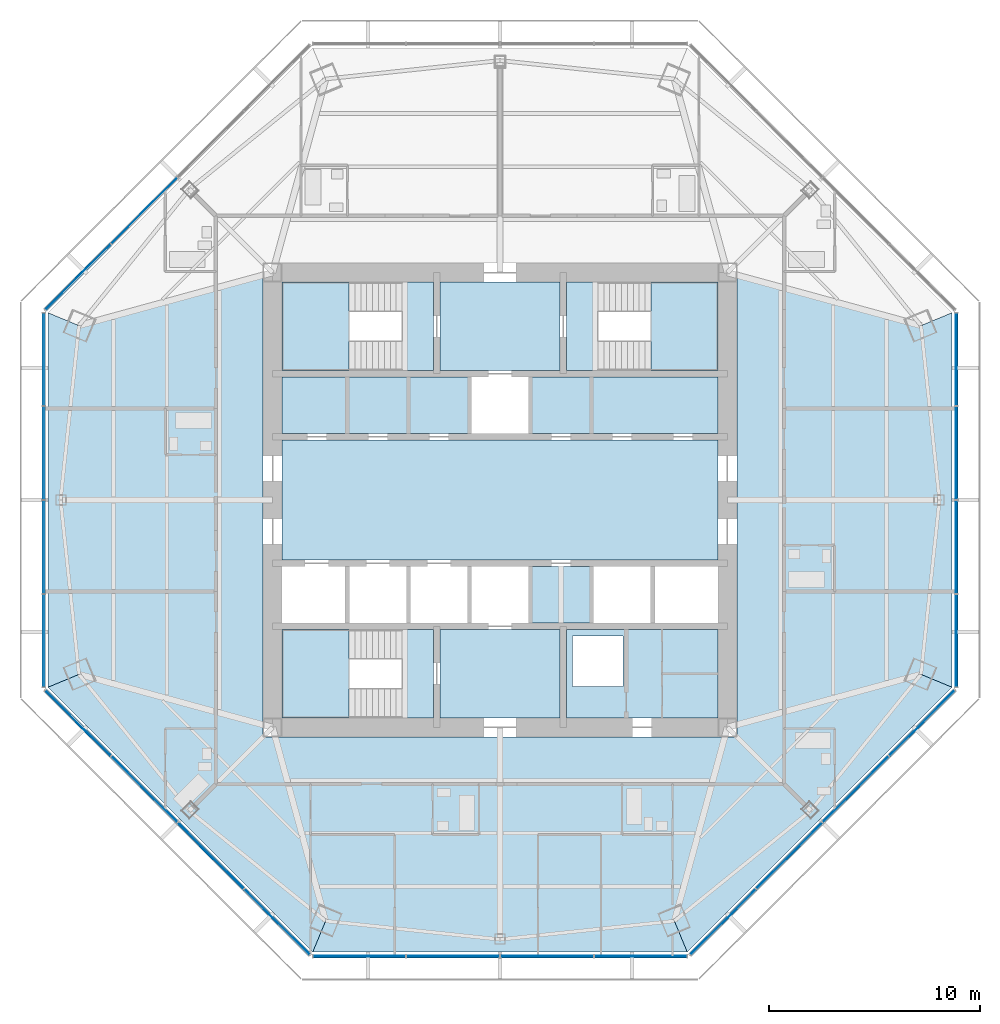
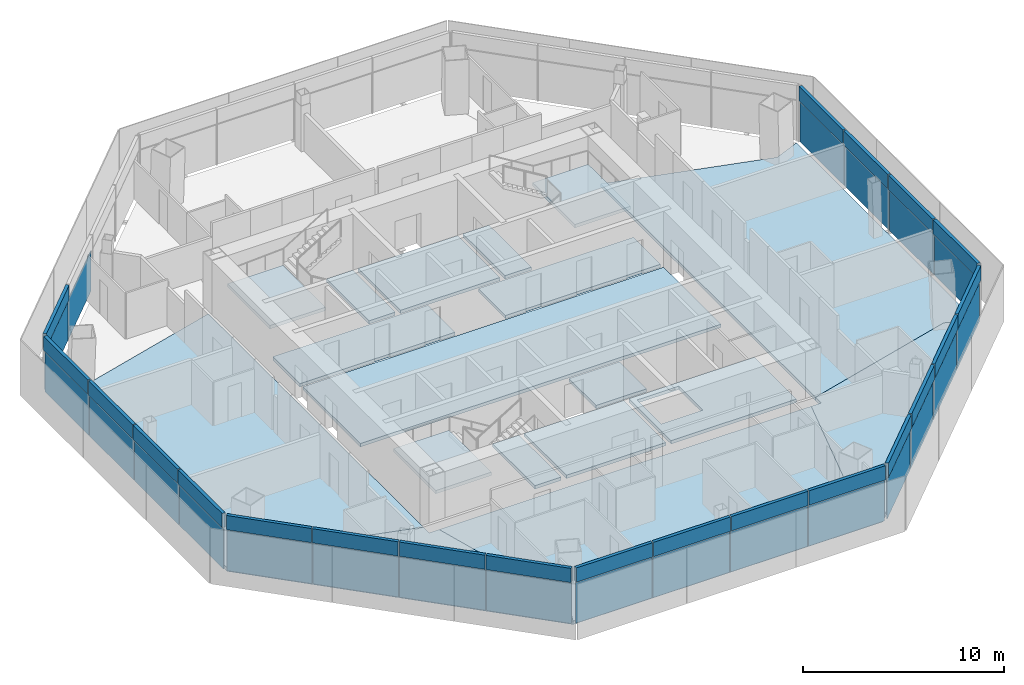
# One storey, part 7 of 15: 43 plates, 18 slabs, 9 elements without a shape of their own.
"""IFC4 building model written with IfcOpenShell, lengths in metres."""

import ifcopenshell
import ifcopenshell.guid

model = None  # the IFC model being written
_history = None  # IfcOwnerHistory: only IFC2X3 demands one
_inside = {}  # id of a spatial element -> (the spatial element, [elements in it])
_under = {}  # id of a project, library or spatial element -> (it, [spatial elements below it])
_declared = {}  # id of a project -> (the project, [libraries it declares])
_typed = {}  # id of a type object -> (the type object, [elements of that type])
_made_of = {}  # id of a material, layer set ... -> (it, [elements and type objects made of it])


def new_model(schema):
    """Start an empty IFC model of exactly this schema.

    Asked for "IFC4X3", IfcOpenShell would pick the latest addendum, in which some entities
    have other attributes; the version numbers below select the first issue.
    IFC2X3 requires an IfcOwnerHistory on every rooted entity: one is made here for all.
    """
    global model, _history
    if schema == "IFC4X3":
        model = ifcopenshell.file(schema_version=(4, 3, 0, 0))
    else:
        model = ifcopenshell.file(schema=schema)
    _inside.clear()
    _under.clear()
    _declared.clear()
    _typed.clear()
    _made_of.clear()
    _history = None
    if model.schema == "IFC2X3":
        org = make("IfcOrganization", Name="unknown")
        user = make(
            "IfcPersonAndOrganization",
            ThePerson=make("IfcPerson", FamilyName="unknown"),
            TheOrganization=org,
        )
        app = make(
            "IfcApplication",
            ApplicationDeveloper=org,
            Version="unknown",
            ApplicationFullName="unknown",
            ApplicationIdentifier="unknown",
        )
        _history = make(
            "IfcOwnerHistory",
            OwningUser=user,
            OwningApplication=app,
            ChangeAction="ADDED",
            CreationDate=0,
        )
    return model


def make(cls, **values):
    """One entity of the class cls with the attributes given. An attribute that is None is left unset."""
    return model.create_entity(
        cls, **{name: value for name, value in values.items() if value is not None}
    )


def rooted(cls, **values):
    """An entity with a GlobalId (a new one), such as an element, a storey or a relation."""
    return make(cls, GlobalId=ifcopenshell.guid.new(), OwnerHistory=_history, **values)


def si_unit(unit_type, name, prefix=None):
    """IfcSIUnit, for example si_unit("LENGTHUNIT", "METRE", prefix="MILLI")."""
    return make("IfcSIUnit", UnitType=unit_type, Prefix=prefix, Name=name)


def assignment(units):
    """IfcUnitAssignment: the units of a project."""
    return None if units is None else make("IfcUnitAssignment", Units=units)


def point(xyz):
    """IfcCartesianPoint."""
    return None if xyz is None else make("IfcCartesianPoint", Coordinates=xyz)


def direction(xyz):
    """IfcDirection."""
    return None if xyz is None else make("IfcDirection", DirectionRatios=xyz)


def frame(location, z_axis=None, x_axis=None):
    """IfcAxis2Placement3D, a coordinate frame: its origin and axes. An axis left out is left unset."""
    return make(
        "IfcAxis2Placement3D",
        Location=point(location),
        Axis=direction(z_axis),
        RefDirection=direction(x_axis),
    )


def frame_2d(location, x_axis=None):
    """IfcAxis2Placement2D, a coordinate frame in the plane: its origin and x axis."""
    return make(
        "IfcAxis2Placement2D", Location=point(location), RefDirection=direction(x_axis)
    )


def origin():
    """The frame at (0, 0, 0) with its axes left unset."""
    return frame((0.0, 0.0, 0.0))


def origin_2d():
    """The frame at (0, 0) in the plane with its x axis left unset."""
    return frame_2d((0.0, 0.0))


def place(relative_to, where):
    """IfcLocalPlacement: puts the frame where relative to a parent placement (None: the world)."""
    return make(
        "IfcLocalPlacement", PlacementRelTo=relative_to, RelativePlacement=where
    )


def context(
    kind, dimensions, precision=None, world=None, true_north=None, identifier=None
):
    """IfcGeometricRepresentationContext, for example the 3D "Model" context."""
    return make(
        "IfcGeometricRepresentationContext",
        ContextIdentifier=identifier,
        ContextType=kind,
        CoordinateSpaceDimension=dimensions,
        Precision=precision,
        WorldCoordinateSystem=world,
        TrueNorth=true_north,
    )


def subcontext(parent, identifier, kind, view, scale=None):
    """IfcGeometricRepresentationSubContext, for example "Body" below "Model"."""
    return make(
        "IfcGeometricRepresentationSubContext",
        ContextIdentifier=identifier,
        ContextType=kind,
        ParentContext=parent,
        TargetScale=scale,
        TargetView=view,
    )


def project(units=None, contexts=None):
    """IfcProject with its units and contexts."""
    return rooted(
        "IfcProject",
        Name="project",
        RepresentationContexts=contexts,
        UnitsInContext=assignment(units),
    )


def spatial(cls, under=None, at=None, **own):
    """A site, building, storey or space (cls), placed at a placement, below another one or the project."""
    s = rooted(cls, ObjectPlacement=at, **own)
    if under is not None:
        _under.setdefault(under.id(), (under, []))[1].append(s)
    return s


def polyline(points):
    """IfcPolyline through the points."""
    return make("IfcPolyline", Points=[point(p) for p in points])


def profile(cls, at=None, kind="AREA", **sizes):
    """A parametric profile (cls). Its sizes go by their IFC names, for example OverallWidth=200.0."""
    return make(cls, ProfileType=kind, Position=at, **sizes)


def rectangle(**sizes):
    """IfcRectangleProfileDef."""
    return profile("IfcRectangleProfileDef", **sizes)


def outline(outer, holes=None, kind="AREA"):
    """IfcArbitraryClosedProfileDef: a profile drawn as a closed curve; with holes, ...WithVoids."""
    if holes is None:
        return make("IfcArbitraryClosedProfileDef", ProfileType=kind, OuterCurve=outer)
    return make(
        "IfcArbitraryProfileDefWithVoids",
        ProfileType=kind,
        OuterCurve=outer,
        InnerCurves=holes,
    )


def extrude(swept, where, along, depth):
    """IfcExtrudedAreaSolid: the profile swept, set in the frame where, extruded along a direction by depth."""
    return make(
        "IfcExtrudedAreaSolid",
        SweptArea=swept,
        Position=where,
        ExtrudedDirection=direction(along),
        Depth=depth,
    )


def shape(context_of_items, identifier, shape_type, items):
    """IfcShapeRepresentation: the items that make up one representation, for example the "Body"."""
    return make(
        "IfcShapeRepresentation",
        ContextOfItems=context_of_items,
        RepresentationIdentifier=identifier,
        RepresentationType=shape_type,
        Items=items,
    )


def source(mapping_origin, context_of_items, identifier, shape_type, items):
    """IfcRepresentationMap: a shape defined once, which mapped items show again and again."""
    return make(
        "IfcRepresentationMap",
        MappingOrigin=mapping_origin,
        MappedRepresentation=shape(context_of_items, identifier, shape_type, items),
    )


def transform(
    local_origin,
    x_axis=None,
    y_axis=None,
    z_axis=None,
    scale=None,
    scale2=None,
    scale3=None,
    uniform=True,
):
    """IfcCartesianTransformationOperator3D, or its non-uniform kind. x_axis, y_axis, z_axis: its Axis1, 2, 3."""
    if uniform:
        return make(
            "IfcCartesianTransformationOperator3D",
            Axis1=direction(x_axis),
            Axis2=direction(y_axis),
            LocalOrigin=point(local_origin),
            Scale=scale,
            Axis3=direction(z_axis),
        )
    return make(
        "IfcCartesianTransformationOperator3DnonUniform",
        Axis1=direction(x_axis),
        Axis2=direction(y_axis),
        LocalOrigin=point(local_origin),
        Scale=scale,
        Axis3=direction(z_axis),
        Scale2=scale2,
        Scale3=scale3,
    )


def mapped(mapping_source, mapping_target):
    """IfcMappedItem: shows the shape of a source again, moved by a transform."""
    return make(
        "IfcMappedItem", MappingSource=mapping_source, MappingTarget=mapping_target
    )


def material(Name=None, Category=None):
    """IfcMaterial."""
    return make("IfcMaterial", Name=Name, Category=Category)


def layer(
    of_material, thickness, ventilated=None, Name=None, Category=None, Priority=None
):
    """IfcMaterialLayer: one layer of a wall or slab, of a material (None: an air gap)."""
    return make(
        "IfcMaterialLayer",
        Material=of_material,
        LayerThickness=thickness,
        IsVentilated=ventilated,
        Name=Name,
        Category=Category,
        Priority=Priority,
    )


def layer_set(layers, Name=None):
    """IfcMaterialLayerSet."""
    return make("IfcMaterialLayerSet", MaterialLayers=layers, LayerSetName=Name)


def made_of(thing, what):
    """Note that an element or type object is made of a material, layer set ...; save() writes the relation."""
    if what is not None:
        _made_of.setdefault(what.id(), (what, []))[1].append(thing)
    return thing


def type_object(cls, material=None, **own):
    """A type object (cls), such as IfcWallType, which elements share."""
    return made_of(rooted(cls, **own), material)


def type_shapes(of_type, sources):
    """Give a type object the sources (RepresentationMaps) that its elements show as mapped items."""
    of_type.RepresentationMaps = sources


def element(
    cls,
    number,
    at=None,
    inside=None,
    cuts=None,
    type_object=None,
    material=None,
    context=None,
    identifier="Body",
    shape_type=None,
    held_by="IfcProductDefinitionShape",
    body=None,
    shapes=None,
    **own,
):
    """One element of the class cls, such as IfcWall. Its Tag is "e" and its number.

    at: its placement. inside: the storey or other place that contains it. cuts: it is an
    opening in that element (IfcRelVoidsElement). A single representation is given by context,
    identifier, shape_type and body (its items); several are given by shapes. held_by: the class
    of the entity that holds the representations. save() writes the other relations.
    """
    e = rooted(cls, Tag="e%d" % number, ObjectPlacement=at, **own)
    if body is not None:
        shapes = [shape(context, identifier, shape_type, body)]
    if shapes is not None:
        e.Representation = make(held_by, Representations=shapes)
    if inside is not None:
        _inside.setdefault(inside.id(), (inside, []))[1].append(e)
    if cuts is not None:
        rooted(
            "IfcRelVoidsElement", RelatingBuildingElement=cuts, RelatedOpeningElement=e
        )
    if type_object is not None:
        _typed.setdefault(type_object.id(), (type_object, []))[1].append(e)
    return made_of(e, material)


def aggregate(whole, parts):
    """IfcRelAggregates: a whole, such as a stair, and the parts it consists of."""
    return rooted("IfcRelAggregates", RelatingObject=whole, RelatedObjects=parts)


def save(model, path):
    """Write the relations noted so far, then the file.

    IfcRelAggregates (storeys below a building ...), IfcRelContainedInSpatialStructure (elements
    in a storey), IfcRelDefinesByType, IfcRelAssociatesMaterial and IfcRelDeclares: one each for
    every whole, place, type object, material and project.
    """
    for whole, parts in _under.values():
        aggregate(whole, parts)
    for where, things in _inside.values():
        rooted(
            "IfcRelContainedInSpatialStructure",
            RelatedElements=things,
            RelatingStructure=where,
        )
    for kind, things in _typed.values():
        rooted("IfcRelDefinesByType", RelatedObjects=things, RelatingType=kind)
    for what, things in _made_of.values():
        rooted("IfcRelAssociatesMaterial", RelatedObjects=things, RelatingMaterial=what)
    for by, libraries in _declared.values():
        rooted("IfcRelDeclares", RelatingContext=by, RelatedDefinitions=libraries)
    model.write(path)


model = new_model("IFC4")

# Units and contexts
model_context = context("Model", 3, precision=1e-05, world=origin(), true_north=direction((0.0, 1.0)))
body_context = subcontext(model_context, "Body", "Model", "MODEL_VIEW")
ifc_project = project(units=[si_unit("LENGTHUNIT", "METRE"), si_unit("AREAUNIT", "SQUARE_METRE"), si_unit("VOLUMEUNIT", "CUBIC_METRE"), si_unit("PLANEANGLEUNIT", "RADIAN"), si_unit("MASSUNIT", "GRAM", prefix="KILO")], contexts=[model_context])

# Site, building, storey
site_placement = place(None, origin())
site = spatial("IfcSite", under=ifc_project, at=site_placement, CompositionType="ELEMENT")
building_placement = place(site_placement, origin())
building = spatial("IfcBuilding", under=site, at=building_placement, Name="Mashrafa Tower", CompositionType="ELEMENT")
storey_placement = place(building_placement, frame((0.0, 0.0, 224.39990234375)))
storey = spatial("IfcBuildingStorey", under=building, at=storey_placement, Name="L52", CompositionType="ELEMENT", Elevation=224.39990234375)

# Slabs
ifc_material_1 = material(Name="Concrete C35/45", Category="concrete")
ifc_layer_1 = layer(ifc_material_1, 0.199951171875)
ifc_layer_set_1 = layer_set([ifc_layer_1], Name="Floor slab 200")
slab_type_1 = type_object("IfcSlabType", Name="Floor slab 200", PredefinedType="FLOOR", material=ifc_layer_set_1)
slab_1_placement = place(storey_placement, frame((0.0, 0.0, -0.199951171875)))
element("IfcSlab", 1, at=slab_1_placement, inside=storey, type_object=slab_type_1, Name="Floor slab L52 east bay", PredefinedType="FLOOR", context=body_context, shape_type="SweptSolid", body=[
    extrude(outline(polyline([(21.466796875, 8.891845703125), (21.466796875, -8.891845703125), (21.466796875, -8.891845703125), (19.994140625, -8.281982421875), (11.25, -10.6767578125), (11.25, 10.6767578125), (19.994140625, 8.281982421875), (21.466796875, 8.891845703125), (21.466796875, 8.891845703125)])), origin(), (0.0, 0.0, 1.0), 0.199951171875),
])
slab_2_placement = place(storey_placement, frame((0.0, 0.0, -0.199951171875)))
element("IfcSlab", 2, at=slab_2_placement, inside=storey, type_object=slab_type_1, Name="Floor slab L52 west bay", PredefinedType="FLOOR", context=body_context, shape_type="SweptSolid", body=[
    extrude(outline(polyline([(-21.466796875, -8.891845703125), (-21.466796875, 8.891845703125), (-21.466796875, 8.891845703125), (-19.994140625, 8.281982421875), (-11.25, 10.6767578125), (-11.25, -10.6767578125), (-19.994140625, -8.281982421875), (-21.466796875, -8.891845703125), (-21.466796875, -8.891845703125)])), origin(), (0.0, 0.0, 1.0), 0.199951171875),
])
slab_3_placement = place(storey_placement, frame((0.0, 0.0, -0.199951171875)))
element("IfcSlab", 3, at=slab_3_placement, inside=storey, type_object=slab_type_1, Name="Floor slab L52 south-west bay", PredefinedType="FLOOR", context=body_context, shape_type="SweptSolid", body=[
    extrude(outline(polyline([(-21.466796875, -8.891845703125), (-19.994140625, -8.281982421875), (-11.25, -10.6767578125), (-11.25, -11.25), (-10.6767578125, -11.25), (-8.281982421875, -19.994140625), (-8.891845703125, -21.466796875), (-21.466796875, -8.891845703125)])), origin(), (0.0, 0.0, 1.0), 0.199951171875),
])
slab_4_placement = place(storey_placement, frame((0.0, 0.0, -0.199951171875)))
element("IfcSlab", 4, at=slab_4_placement, inside=storey, type_object=slab_type_1, Name="Floor slab L52 south bay", PredefinedType="FLOOR", context=body_context, shape_type="SweptSolid", body=[
    extrude(outline(polyline([(-8.891845703125, -21.466796875), (-8.891845703125, -21.466796875), (-8.281982421875, -19.994140625), (-10.6767578125, -11.25), (10.6767578125, -11.25), (8.281982421875, -19.994140625), (8.891845703125, -21.466796875), (8.891845703125, -21.466796875), (-8.891845703125, -21.466796875)])), origin(), (0.0, 0.0, 1.0), 0.199951171875),
])
slab_5_placement = place(storey_placement, frame((0.0, 0.0, -0.199951171875)))
element("IfcSlab", 5, at=slab_5_placement, inside=storey, type_object=slab_type_1, Name="Floor slab L52 south-east bay", PredefinedType="FLOOR", context=body_context, shape_type="SweptSolid", body=[
    extrude(outline(polyline([(8.891845703125, -21.466796875), (8.281982421875, -19.994140625), (10.6767578125, -11.25), (11.25, -11.25), (11.25, -10.6767578125), (19.994140625, -8.281982421875), (21.466796875, -8.891845703125), (8.891845703125, -21.466796875)])), origin(), (0.0, 0.0, 1.0), 0.199951171875),
])
slab_6_placement = place(storey_placement, frame((0.0, 0.0, -0.199951171875)))
element("IfcSlab", 6, at=slab_6_placement, inside=storey, type_object=slab_type_1, Name="Core floor lift hall L52", PredefinedType="FLOOR", context=body_context, shape_type="SweptSolid", body=[
    extrude(outline(polyline([(-10.35009765625, 2.85009765625), (10.35009765625, 2.85009765625), (10.35009765625, -2.85009765625), (-10.35009765625, -2.85009765625), (-10.35009765625, 2.85009765625)])), origin(), (0.0, 0.0, 1.0), 0.199951171875),
])
slab_7_placement = place(storey_placement, frame((0.0, 0.0, -0.199951171875)))
element("IfcSlab", 7, at=slab_7_placement, inside=storey, type_object=slab_type_1, Name="Core floor riser and electrical band L52", PredefinedType="FLOOR", context=body_context, shape_type="SweptSolid", body=[
    extrude(outline(polyline([(10.35009765625, -6.14990234375), (10.35009765625, -10.35009765625), (3.14990234375, -10.35009765625), (3.14990234375, -6.14990234375), (10.35009765625, -6.14990234375)]), holes=[polyline([(3.449951171875, -8.85009765625), (5.85009765625, -8.85009765625), (5.85009765625, -6.449951171875), (3.449951171875, -6.449951171875), (3.449951171875, -8.85009765625)])]), origin(), (0.0, 0.0, 1.0), 0.199951171875),
])
slab_8_placement = place(storey_placement, frame((0.0, 0.0, -0.199951171875)))
element("IfcSlab", 8, at=slab_8_placement, inside=storey, type_object=slab_type_1, Name="Core floor lift cell L52", PredefinedType="FLOOR", context=body_context, shape_type="SweptSolid", body=[
    extrude(outline(polyline([(-10.35009765625, 5.85009765625), (-1.449951171875, 5.85009765625), (-1.449951171875, 3.14990234375), (-10.35009765625, 3.14990234375), (-10.35009765625, 5.85009765625)])), origin(), (0.0, 0.0, 1.0), 0.199951171875),
])
slab_9_placement = place(storey_placement, frame((0.0, 0.0, -0.199951171875)))
element("IfcSlab", 9, at=slab_9_placement, inside=storey, type_object=slab_type_1, Name="Core floor lift cell L52", PredefinedType="FLOOR", context=body_context, shape_type="SweptSolid", body=[
    extrude(outline(polyline([(1.449951171875, 5.85009765625), (10.35009765625, 5.85009765625), (10.35009765625, 3.14990234375), (1.449951171875, 3.14990234375), (1.449951171875, 5.85009765625)])), origin(), (0.0, 0.0, 1.0), 0.199951171875),
])
slab_10_placement = place(storey_placement, frame((0.0, 0.0, -0.199951171875)))
element("IfcSlab", 10, at=slab_10_placement, inside=storey, type_object=slab_type_1, Name="Core floor fire-fighting lobby south L52", PredefinedType="FLOOR", context=body_context, shape_type="SweptSolid", body=[
    extrude(outline(polyline([(2.85009765625, -6.14990234375), (2.85009765625, -10.35009765625), (-2.85009765625, -10.35009765625), (-2.85009765625, -6.14990234375), (2.85009765625, -6.14990234375)])), origin(), (0.0, 0.0, 1.0), 0.199951171875),
])
slab_11_placement = place(storey_placement, frame((0.0, 0.0, -0.199951171875)))
element("IfcSlab", 11, at=slab_11_placement, inside=storey, type_object=slab_type_1, Name="Core floor fire-fighting lobby north L52", PredefinedType="FLOOR", context=body_context, shape_type="SweptSolid", body=[
    extrude(outline(polyline([(-2.85009765625, 10.35009765625), (2.85009765625, 10.35009765625), (2.85009765625, 6.14990234375), (-2.85009765625, 6.14990234375), (-2.85009765625, 10.35009765625)])), origin(), (0.0, 0.0, 1.0), 0.199951171875),
])
slab_12_placement = place(storey_placement, frame((0.0, 0.0, -0.199951171875)))
element("IfcSlab", 12, at=slab_12_placement, inside=storey, type_object=slab_type_1, Name="Core floor lift cell L52", PredefinedType="FLOOR", context=body_context, shape_type="SweptSolid", body=[
    extrude(outline(polyline([(4.35009765625, -3.14990234375), (4.35009765625, -5.85009765625), (1.449951171875, -5.85009765625), (1.449951171875, -3.14990234375), (4.35009765625, -3.14990234375)])), origin(), (0.0, 0.0, 1.0), 0.199951171875),
])

# Stair, slabs
ifc_material_2 = material(Name="Exit stair 1400")
stair_type = type_object("IfcStairType", Name="Exit stair 1400", PredefinedType="HALF_TURN_STAIR", material=ifc_material_2)
stair_1_placement = place(storey_placement, origin())
stair_1 = element("IfcStair", 13, at=stair_1_placement, inside=storey, type_object=stair_type, Name="Stair S1 L52", PredefinedType="HALF_TURN_STAIR")
ifc_material_3 = material(Name="Concrete C32/40", Category="concrete")
ifc_layer_2 = layer(ifc_material_3, 0.199951171875)
ifc_layer_set_2 = layer_set([ifc_layer_2], Name="Stair landing 200")
slab_type_2 = type_object("IfcSlabType", Name="Stair landing 200", PredefinedType="LANDING", material=ifc_layer_set_2)
slab_13_placement = place(storey_placement, frame((0.0, 0.0, -0.199951171875)))
slab_13 = element("IfcSlab", 14, at=slab_13_placement, type_object=slab_type_2, Name="S1 landing 1", PredefinedType="LANDING", context=body_context, shape_type="SweptSolid", body=[
    extrude(outline(polyline([(-4.659912109375, 6.14990234375), (-3.14990234375, 6.14990234375), (-3.14990234375, 10.35009765625), (-4.659912109375, 10.35009765625), (-4.659912109375, 6.14990234375)])), origin(), (0.0, 0.0, 1.0), 0.199951171875),
])
slab_14_placement = place(storey_placement, frame((0.0, 0.0, 1.5)))
slab_14 = element("IfcSlab", 15, at=slab_14_placement, type_object=slab_type_2, Name="S1 landing 2", PredefinedType="LANDING", context=body_context, shape_type="SweptSolid", body=[
    extrude(outline(polyline([(-10.35009765625, 6.14990234375), (-7.159912109375, 6.14990234375), (-7.159912109375, 10.35009765625), (-10.35009765625, 10.35009765625), (-10.35009765625, 6.14990234375)])), origin(), (0.0, 0.0, 1.0), 0.2001953125),
])
aggregate(stair_1, [slab_13, slab_14])

stair_2_placement = place(storey_placement, origin())
stair_2 = element("IfcStair", 16, at=stair_2_placement, inside=storey, type_object=stair_type, Name="Stair S2 L52", PredefinedType="HALF_TURN_STAIR")
slab_15_placement = place(storey_placement, frame((0.0, 0.0, -0.199951171875)))
slab_15 = element("IfcSlab", 17, at=slab_15_placement, type_object=slab_type_2, Name="S2 landing 1", PredefinedType="LANDING", context=body_context, shape_type="SweptSolid", body=[
    extrude(outline(polyline([(3.14990234375, 6.14990234375), (4.659912109375, 6.14990234375), (4.659912109375, 10.35009765625), (3.14990234375, 10.35009765625), (3.14990234375, 6.14990234375)])), origin(), (0.0, 0.0, 1.0), 0.199951171875),
])
slab_16_placement = place(storey_placement, frame((0.0, 0.0, 1.5)))
slab_16 = element("IfcSlab", 18, at=slab_16_placement, type_object=slab_type_2, Name="S2 landing 2", PredefinedType="LANDING", context=body_context, shape_type="SweptSolid", body=[
    extrude(outline(polyline([(7.159912109375, 6.14990234375), (10.35009765625, 6.14990234375), (10.35009765625, 10.35009765625), (7.159912109375, 10.35009765625), (7.159912109375, 6.14990234375)])), origin(), (0.0, 0.0, 1.0), 0.2001953125),
])
aggregate(stair_2, [slab_15, slab_16])

stair_3_placement = place(storey_placement, origin())
stair_3 = element("IfcStair", 19, at=stair_3_placement, inside=storey, type_object=stair_type, Name="Stair S3 L52", PredefinedType="HALF_TURN_STAIR")
slab_17_placement = place(storey_placement, frame((0.0, 0.0, -0.199951171875)))
slab_17 = element("IfcSlab", 20, at=slab_17_placement, type_object=slab_type_2, Name="S3 landing 1", PredefinedType="LANDING", context=body_context, shape_type="SweptSolid", body=[
    extrude(outline(polyline([(-4.659912109375, -10.35009765625), (-3.14990234375, -10.35009765625), (-3.14990234375, -6.14990234375), (-4.659912109375, -6.14990234375), (-4.659912109375, -10.35009765625)])), origin(), (0.0, 0.0, 1.0), 0.199951171875),
])
slab_18_placement = place(storey_placement, frame((0.0, 0.0, 1.5)))
slab_18 = element("IfcSlab", 21, at=slab_18_placement, type_object=slab_type_2, Name="S3 landing 2", PredefinedType="LANDING", context=body_context, shape_type="SweptSolid", body=[
    extrude(outline(polyline([(-10.35009765625, -10.35009765625), (-7.159912109375, -10.35009765625), (-7.159912109375, -6.14990234375), (-10.35009765625, -6.14990234375), (-10.35009765625, -10.35009765625)])), origin(), (0.0, 0.0, 1.0), 0.2001953125),
])
aggregate(stair_3, [slab_17, slab_18])

# Curtain wall, plates
ifc_material_4 = material(Name="Unitised aluminium curtain wall", Category="aluminium")
curtain_wall_type = type_object("IfcCurtainWallType", Name="Apartment curtain wall, zone 3 CW-C 180 deep", PredefinedType="NOTDEFINED", material=ifc_material_4)
curtain_wall_1_placement = place(storey_placement, origin())
curtain_wall_1 = element("IfcCurtainWall", 22, at=curtain_wall_1_placement, inside=storey, type_object=curtain_wall_type, Name="Apartment curtain wall, zone 3 L52 east", PredefinedType="NOTDEFINED")
ifc_material_5 = material(Name="Insulated double glazing, acoustic", Category="glass")
ifc_layer_3 = layer(ifc_material_5, 0.028076171875)
ifc_layer_set_3 = layer_set([ifc_layer_3], Name="Vision panel CW-C 28")
plate_type_1 = type_object("IfcPlateType", Name="Vision panel CW-C 28", PredefinedType="CURTAIN_PANEL", material=ifc_layer_set_3)
shared_shape_1 = source(origin(), body_context, "Body", "SweptSolid", [
    extrude(rectangle(XDim=4.373779296875, YDim=0.028076171875, at=origin_2d()), origin(), (0.0, 0.0, 1.0), 2.46240234375),
])
plate_1_placement = place(storey_placement, frame((21.666748046875, -6.680419921875, 0.000244140625), z_axis=(0.0, 0.0, 1.0), x_axis=(0.0, 1.0, 0.0)))
plate_1 = element("IfcPlate", 23, at=plate_1_placement, type_object=plate_type_1, Name="CW-C vision panel 1", PredefinedType="CURTAIN_PANEL", context=body_context, shape_type="MappedRepresentation", body=[
    mapped(shared_shape_1, transform((0.0, 0.0, 0.0))),
])
plate_2_placement = place(storey_placement, frame((21.666748046875, 6.680419921875, 0.000244140625), z_axis=(0.0, 0.0, 1.0), x_axis=(0.0, 1.0, 0.0)))
plate_2 = element("IfcPlate", 24, at=plate_2_placement, type_object=plate_type_1, Name="CW-C vision panel 4", PredefinedType="CURTAIN_PANEL", context=body_context, shape_type="MappedRepresentation", body=[
    mapped(shared_shape_1, transform((0.0, 0.0, 0.0))),
])

# Curtain wall, plate
curtain_wall_2_placement = place(storey_placement, origin())
curtain_wall_2 = element("IfcCurtainWall", 25, at=curtain_wall_2_placement, inside=storey, type_object=curtain_wall_type, Name="Apartment curtain wall, zone 3 L52 north-west", PredefinedType="NOTDEFINED")
plate_3_placement = place(storey_placement, frame((-20.044677734375, 10.596923828125, 0.000244140625), z_axis=(0.0, 0.0, 1.0), x_axis=(-0.707106781187, -0.707106781187, 0.0)))
plate_3 = element("IfcPlate", 26, at=plate_3_placement, type_object=plate_type_1, Name="CW-C vision panel 4", PredefinedType="CURTAIN_PANEL", context=body_context, shape_type="MappedRepresentation", body=[
    mapped(shared_shape_1, transform((0.0, 0.0, 0.0))),
])

# Curtain wall, plates
curtain_wall_3_placement = place(storey_placement, origin())
curtain_wall_3 = element("IfcCurtainWall", 27, at=curtain_wall_3_placement, inside=storey, type_object=curtain_wall_type, Name="Apartment curtain wall, zone 3 L52 west", PredefinedType="NOTDEFINED")
plate_4_placement = place(storey_placement, frame((-21.666748046875, 6.680419921875, 0.000244140625), z_axis=(0.0, 0.0, 1.0), x_axis=(0.0, -1.0, 0.0)))
plate_4 = element("IfcPlate", 28, at=plate_4_placement, type_object=plate_type_1, Name="CW-C vision panel 1", PredefinedType="CURTAIN_PANEL", context=body_context, shape_type="MappedRepresentation", body=[
    mapped(shared_shape_1, transform((0.0, 0.0, 0.0))),
])
plate_5_placement = place(storey_placement, frame((-21.666748046875, -6.680419921875, 0.000244140625), z_axis=(0.0, 0.0, 1.0), x_axis=(0.0, -1.0, 0.0)))
plate_5 = element("IfcPlate", 29, at=plate_5_placement, type_object=plate_type_1, Name="CW-C vision panel 4", PredefinedType="CURTAIN_PANEL", context=body_context, shape_type="MappedRepresentation", body=[
    mapped(shared_shape_1, transform((0.0, 0.0, 0.0))),
])

curtain_wall_4_placement = place(storey_placement, origin())
curtain_wall_4 = element("IfcCurtainWall", 30, at=curtain_wall_4_placement, inside=storey, type_object=curtain_wall_type, Name="Apartment curtain wall, zone 3 L52 south-west", PredefinedType="NOTDEFINED")
plate_6_placement = place(storey_placement, frame((-20.044677734375, -10.596923828125, 0.000244140625), z_axis=(0.0, 0.0, 1.0), x_axis=(0.707106781187, -0.707106781187, 0.0)))
plate_6 = element("IfcPlate", 31, at=plate_6_placement, type_object=plate_type_1, Name="CW-C vision panel 1", PredefinedType="CURTAIN_PANEL", context=body_context, shape_type="MappedRepresentation", body=[
    mapped(shared_shape_1, transform((0.0, 0.0, 0.0))),
])
plate_7_placement = place(storey_placement, frame((-10.596923828125, -20.044677734375, 0.000244140625), z_axis=(0.0, 0.0, 1.0), x_axis=(0.707106781187, -0.707106781187, 0.0)))
plate_7 = element("IfcPlate", 32, at=plate_7_placement, type_object=plate_type_1, Name="CW-C vision panel 4", PredefinedType="CURTAIN_PANEL", context=body_context, shape_type="MappedRepresentation", body=[
    mapped(shared_shape_1, transform((0.0, 0.0, 0.0))),
])

curtain_wall_5_placement = place(storey_placement, origin())
curtain_wall_5 = element("IfcCurtainWall", 33, at=curtain_wall_5_placement, inside=storey, type_object=curtain_wall_type, Name="Apartment curtain wall, zone 3 L52 south", PredefinedType="NOTDEFINED")
plate_8_placement = place(storey_placement, frame((-6.680419921875, -21.666748046875, 0.000244140625), z_axis=(0.0, 0.0, 1.0), x_axis=(1.0, 0.0, 0.0)))
plate_8 = element("IfcPlate", 34, at=plate_8_placement, type_object=plate_type_1, Name="CW-C vision panel 1", PredefinedType="CURTAIN_PANEL", context=body_context, shape_type="MappedRepresentation", body=[
    mapped(shared_shape_1, transform((0.0, 0.0, 0.0))),
])
plate_9_placement = place(storey_placement, frame((6.680419921875, -21.666748046875, 0.000244140625), z_axis=(0.0, 0.0, 1.0), x_axis=(1.0, 0.0, 0.0)))
plate_9 = element("IfcPlate", 35, at=plate_9_placement, type_object=plate_type_1, Name="CW-C vision panel 4", PredefinedType="CURTAIN_PANEL", context=body_context, shape_type="MappedRepresentation", body=[
    mapped(shared_shape_1, transform((0.0, 0.0, 0.0))),
])

curtain_wall_6_placement = place(storey_placement, origin())
curtain_wall_6 = element("IfcCurtainWall", 36, at=curtain_wall_6_placement, inside=storey, type_object=curtain_wall_type, Name="Apartment curtain wall, zone 3 L52 south-east", PredefinedType="NOTDEFINED")
plate_10_placement = place(storey_placement, frame((10.596923828125, -20.044677734375, 0.000244140625), z_axis=(0.0, 0.0, 1.0), x_axis=(0.707106781187, 0.707106781187, 0.0)))
plate_10 = element("IfcPlate", 37, at=plate_10_placement, type_object=plate_type_1, Name="CW-C vision panel 1", PredefinedType="CURTAIN_PANEL", context=body_context, shape_type="MappedRepresentation", body=[
    mapped(shared_shape_1, transform((0.0, 0.0, 0.0))),
])
plate_11_placement = place(storey_placement, frame((20.044677734375, -10.596923828125, 0.000244140625), z_axis=(0.0, 0.0, 1.0), x_axis=(0.707106781187, 0.707106781187, 0.0)))
plate_11 = element("IfcPlate", 38, at=plate_11_placement, type_object=plate_type_1, Name="CW-C vision panel 4", PredefinedType="CURTAIN_PANEL", context=body_context, shape_type="MappedRepresentation", body=[
    mapped(shared_shape_1, transform((0.0, 0.0, 0.0))),
])

# Plate
ifc_material_6 = material(Name="Insulated bronze aluminium spandrel panel", Category="aluminium")
ifc_layer_4 = layer(ifc_material_6, 0.179931640625)
ifc_layer_set_4 = layer_set([ifc_layer_4], Name="Spandrel panel CW-C 180")
plate_type_2 = type_object("IfcPlateType", Name="Spandrel panel CW-C 180", PredefinedType="CURTAIN_PANEL", material=ifc_layer_set_4)
shared_shape_2 = source(origin(), body_context, "Body", "SweptSolid", [
    extrude(rectangle(XDim=4.373779296875, YDim=0.179931640625, at=origin_2d()), origin(), (0.0, 0.0, 1.0), 0.862548828125),
])
plate_12_placement = place(storey_placement, frame((21.666748046875, -6.680419921875, 2.53759765625), z_axis=(0.0, 0.0, 1.0), x_axis=(0.0, 1.0, 0.0)))
plate_12 = element("IfcPlate", 39, at=plate_12_placement, type_object=plate_type_2, Name="CW-C spandrel panel 1", PredefinedType="CURTAIN_PANEL", context=body_context, shape_type="MappedRepresentation", body=[
    mapped(shared_shape_2, transform((0.0, 0.0, 0.0))),
])

plate_13_placement = place(storey_placement, frame((21.666748046875, 6.680419921875, 2.53759765625), z_axis=(0.0, 0.0, 1.0), x_axis=(0.0, 1.0, 0.0)))
plate_13 = element("IfcPlate", 40, at=plate_13_placement, type_object=plate_type_2, Name="CW-C spandrel panel 4", PredefinedType="CURTAIN_PANEL", context=body_context, shape_type="MappedRepresentation", body=[
    mapped(shared_shape_2, transform((0.0, 0.0, 0.0))),
])

plate_14_placement = place(storey_placement, frame((-20.044677734375, 10.596923828125, 2.53759765625), z_axis=(0.0, 0.0, 1.0), x_axis=(-0.707106781187, -0.707106781187, 0.0)))
plate_14 = element("IfcPlate", 41, at=plate_14_placement, type_object=plate_type_2, Name="CW-C spandrel panel 4", PredefinedType="CURTAIN_PANEL", context=body_context, shape_type="MappedRepresentation", body=[
    mapped(shared_shape_2, transform((0.0, 0.0, 0.0))),
])

plate_15_placement = place(storey_placement, frame((-21.666748046875, 6.680419921875, 2.53759765625), z_axis=(0.0, 0.0, 1.0), x_axis=(0.0, -1.0, 0.0)))
plate_15 = element("IfcPlate", 42, at=plate_15_placement, type_object=plate_type_2, Name="CW-C spandrel panel 1", PredefinedType="CURTAIN_PANEL", context=body_context, shape_type="MappedRepresentation", body=[
    mapped(shared_shape_2, transform((0.0, 0.0, 0.0))),
])

plate_16_placement = place(storey_placement, frame((-21.666748046875, -6.680419921875, 2.53759765625), z_axis=(0.0, 0.0, 1.0), x_axis=(0.0, -1.0, 0.0)))
plate_16 = element("IfcPlate", 43, at=plate_16_placement, type_object=plate_type_2, Name="CW-C spandrel panel 4", PredefinedType="CURTAIN_PANEL", context=body_context, shape_type="MappedRepresentation", body=[
    mapped(shared_shape_2, transform((0.0, 0.0, 0.0))),
])

plate_17_placement = place(storey_placement, frame((-20.044677734375, -10.596923828125, 2.53759765625), z_axis=(0.0, 0.0, 1.0), x_axis=(0.707106781187, -0.707106781187, 0.0)))
plate_17 = element("IfcPlate", 44, at=plate_17_placement, type_object=plate_type_2, Name="CW-C spandrel panel 1", PredefinedType="CURTAIN_PANEL", context=body_context, shape_type="MappedRepresentation", body=[
    mapped(shared_shape_2, transform((0.0, 0.0, 0.0))),
])

plate_18_placement = place(storey_placement, frame((-10.596923828125, -20.044677734375, 2.53759765625), z_axis=(0.0, 0.0, 1.0), x_axis=(0.707106781187, -0.707106781187, 0.0)))
plate_18 = element("IfcPlate", 45, at=plate_18_placement, type_object=plate_type_2, Name="CW-C spandrel panel 4", PredefinedType="CURTAIN_PANEL", context=body_context, shape_type="MappedRepresentation", body=[
    mapped(shared_shape_2, transform((0.0, 0.0, 0.0))),
])

plate_19_placement = place(storey_placement, frame((-6.680419921875, -21.666748046875, 2.53759765625), z_axis=(0.0, 0.0, 1.0), x_axis=(1.0, 0.0, 0.0)))
plate_19 = element("IfcPlate", 46, at=plate_19_placement, type_object=plate_type_2, Name="CW-C spandrel panel 1", PredefinedType="CURTAIN_PANEL", context=body_context, shape_type="MappedRepresentation", body=[
    mapped(shared_shape_2, transform((0.0, 0.0, 0.0))),
])

plate_20_placement = place(storey_placement, frame((6.680419921875, -21.666748046875, 2.53759765625), z_axis=(0.0, 0.0, 1.0), x_axis=(1.0, 0.0, 0.0)))
plate_20 = element("IfcPlate", 47, at=plate_20_placement, type_object=plate_type_2, Name="CW-C spandrel panel 4", PredefinedType="CURTAIN_PANEL", context=body_context, shape_type="MappedRepresentation", body=[
    mapped(shared_shape_2, transform((0.0, 0.0, 0.0))),
])

plate_21_placement = place(storey_placement, frame((10.596923828125, -20.044677734375, 2.53759765625), z_axis=(0.0, 0.0, 1.0), x_axis=(0.707106781187, 0.707106781187, 0.0)))
plate_21 = element("IfcPlate", 48, at=plate_21_placement, type_object=plate_type_2, Name="CW-C spandrel panel 1", PredefinedType="CURTAIN_PANEL", context=body_context, shape_type="MappedRepresentation", body=[
    mapped(shared_shape_2, transform((0.0, 0.0, 0.0))),
])

plate_22_placement = place(storey_placement, frame((20.044677734375, -10.596923828125, 2.53759765625), z_axis=(0.0, 0.0, 1.0), x_axis=(0.707106781187, 0.707106781187, 0.0)))
plate_22 = element("IfcPlate", 49, at=plate_22_placement, type_object=plate_type_2, Name="CW-C spandrel panel 4", PredefinedType="CURTAIN_PANEL", context=body_context, shape_type="MappedRepresentation", body=[
    mapped(shared_shape_2, transform((0.0, 0.0, 0.0))),
])

shared_shape_3 = source(origin(), body_context, "Body", "SweptSolid", [
    extrude(rectangle(XDim=4.40380859375, YDim=0.028076171875, at=origin_2d()), origin(), (0.0, 0.0, 1.0), 2.46240234375),
])
type_shapes(plate_type_1, [shared_shape_1, shared_shape_3])
plate_23_placement = place(storey_placement, frame((21.666748046875, -2.23193359375, 0.000244140625), z_axis=(0.0, 0.0, 1.0), x_axis=(0.0, 1.0, 0.0)))
plate_23 = element("IfcPlate", 50, at=plate_23_placement, type_object=plate_type_1, Name="CW-C vision panel 2", PredefinedType="CURTAIN_PANEL", context=body_context, shape_type="MappedRepresentation", body=[
    mapped(shared_shape_3, transform((0.0, 0.0, 0.0))),
])

plate_24_placement = place(storey_placement, frame((21.666748046875, 2.23193359375, 0.000244140625), z_axis=(0.0, 0.0, 1.0), x_axis=(0.0, 1.0, 0.0)))
plate_24 = element("IfcPlate", 51, at=plate_24_placement, type_object=plate_type_1, Name="CW-C vision panel 3", PredefinedType="CURTAIN_PANEL", context=body_context, shape_type="MappedRepresentation", body=[
    mapped(shared_shape_3, transform((0.0, 0.0, 0.0))),
])

plate_25_placement = place(storey_placement, frame((-16.89892578125, 13.74267578125, 0.000244140625), z_axis=(0.0, 0.0, 1.0), x_axis=(-0.707106781187, -0.707106781187, 0.0)))
plate_25 = element("IfcPlate", 52, at=plate_25_placement, type_object=plate_type_1, Name="CW-C vision panel 3", PredefinedType="CURTAIN_PANEL", context=body_context, shape_type="MappedRepresentation", body=[
    mapped(shared_shape_3, transform((0.0, 0.0, 0.0))),
])

aggregate(curtain_wall_2, [plate_25, plate_3, plate_14])

plate_26_placement = place(storey_placement, frame((-21.666748046875, 2.23193359375, 0.000244140625), z_axis=(0.0, 0.0, 1.0), x_axis=(0.0, -1.0, 0.0)))
plate_26 = element("IfcPlate", 53, at=plate_26_placement, type_object=plate_type_1, Name="CW-C vision panel 2", PredefinedType="CURTAIN_PANEL", context=body_context, shape_type="MappedRepresentation", body=[
    mapped(shared_shape_3, transform((0.0, 0.0, 0.0))),
])

plate_27_placement = place(storey_placement, frame((-21.666748046875, -2.23193359375, 0.000244140625), z_axis=(0.0, 0.0, 1.0), x_axis=(0.0, -1.0, 0.0)))
plate_27 = element("IfcPlate", 54, at=plate_27_placement, type_object=plate_type_1, Name="CW-C vision panel 3", PredefinedType="CURTAIN_PANEL", context=body_context, shape_type="MappedRepresentation", body=[
    mapped(shared_shape_3, transform((0.0, 0.0, 0.0))),
])

plate_28_placement = place(storey_placement, frame((-16.89892578125, -13.74267578125, 0.000244140625), z_axis=(0.0, 0.0, 1.0), x_axis=(0.707106781187, -0.707106781187, 0.0)))
plate_28 = element("IfcPlate", 55, at=plate_28_placement, type_object=plate_type_1, Name="CW-C vision panel 2", PredefinedType="CURTAIN_PANEL", context=body_context, shape_type="MappedRepresentation", body=[
    mapped(shared_shape_3, transform((0.0, 0.0, 0.0))),
])

plate_29_placement = place(storey_placement, frame((-13.74267578125, -16.89892578125, 0.000244140625), z_axis=(0.0, 0.0, 1.0), x_axis=(0.707106781187, -0.707106781187, 0.0)))
plate_29 = element("IfcPlate", 56, at=plate_29_placement, type_object=plate_type_1, Name="CW-C vision panel 3", PredefinedType="CURTAIN_PANEL", context=body_context, shape_type="MappedRepresentation", body=[
    mapped(shared_shape_3, transform((0.0, 0.0, 0.0))),
])

plate_30_placement = place(storey_placement, frame((-2.23193359375, -21.666748046875, 0.000244140625), z_axis=(0.0, 0.0, 1.0), x_axis=(1.0, 0.0, 0.0)))
plate_30 = element("IfcPlate", 57, at=plate_30_placement, type_object=plate_type_1, Name="CW-C vision panel 2", PredefinedType="CURTAIN_PANEL", context=body_context, shape_type="MappedRepresentation", body=[
    mapped(shared_shape_3, transform((0.0, 0.0, 0.0))),
])

plate_31_placement = place(storey_placement, frame((2.23193359375, -21.666748046875, 0.000244140625), z_axis=(0.0, 0.0, 1.0), x_axis=(1.0, 0.0, 0.0)))
plate_31 = element("IfcPlate", 58, at=plate_31_placement, type_object=plate_type_1, Name="CW-C vision panel 3", PredefinedType="CURTAIN_PANEL", context=body_context, shape_type="MappedRepresentation", body=[
    mapped(shared_shape_3, transform((0.0, 0.0, 0.0))),
])

plate_32_placement = place(storey_placement, frame((13.74267578125, -16.89892578125, 0.000244140625), z_axis=(0.0, 0.0, 1.0), x_axis=(0.707106781187, 0.707106781187, 0.0)))
plate_32 = element("IfcPlate", 59, at=plate_32_placement, type_object=plate_type_1, Name="CW-C vision panel 2", PredefinedType="CURTAIN_PANEL", context=body_context, shape_type="MappedRepresentation", body=[
    mapped(shared_shape_3, transform((0.0, 0.0, 0.0))),
])

plate_33_placement = place(storey_placement, frame((16.89892578125, -13.74267578125, 0.000244140625), z_axis=(0.0, 0.0, 1.0), x_axis=(0.707106781187, 0.707106781187, 0.0)))
plate_33 = element("IfcPlate", 60, at=plate_33_placement, type_object=plate_type_1, Name="CW-C vision panel 3", PredefinedType="CURTAIN_PANEL", context=body_context, shape_type="MappedRepresentation", body=[
    mapped(shared_shape_3, transform((0.0, 0.0, 0.0))),
])

shared_shape_4 = source(origin(), body_context, "Body", "SweptSolid", [
    extrude(rectangle(XDim=4.40380859375, YDim=0.179931640625, at=origin_2d()), origin(), (0.0, 0.0, 1.0), 0.862548828125),
])
type_shapes(plate_type_2, [shared_shape_2, shared_shape_4])
plate_34_placement = place(storey_placement, frame((21.666748046875, -2.23193359375, 2.53759765625), z_axis=(0.0, 0.0, 1.0), x_axis=(0.0, 1.0, 0.0)))
plate_34 = element("IfcPlate", 61, at=plate_34_placement, type_object=plate_type_2, Name="CW-C spandrel panel 2", PredefinedType="CURTAIN_PANEL", context=body_context, shape_type="MappedRepresentation", body=[
    mapped(shared_shape_4, transform((0.0, 0.0, 0.0))),
])

plate_35_placement = place(storey_placement, frame((21.666748046875, 2.23193359375, 2.53759765625), z_axis=(0.0, 0.0, 1.0), x_axis=(0.0, 1.0, 0.0)))
plate_35 = element("IfcPlate", 62, at=plate_35_placement, type_object=plate_type_2, Name="CW-C spandrel panel 3", PredefinedType="CURTAIN_PANEL", context=body_context, shape_type="MappedRepresentation", body=[
    mapped(shared_shape_4, transform((0.0, 0.0, 0.0))),
])

aggregate(curtain_wall_1, [plate_1, plate_12, plate_23, plate_34, plate_24, plate_35, plate_2, plate_13])

plate_36_placement = place(storey_placement, frame((-21.666748046875, 2.23193359375, 2.53759765625), z_axis=(0.0, 0.0, 1.0), x_axis=(0.0, -1.0, 0.0)))
plate_36 = element("IfcPlate", 63, at=plate_36_placement, type_object=plate_type_2, Name="CW-C spandrel panel 2", PredefinedType="CURTAIN_PANEL", context=body_context, shape_type="MappedRepresentation", body=[
    mapped(shared_shape_4, transform((0.0, 0.0, 0.0))),
])

plate_37_placement = place(storey_placement, frame((-21.666748046875, -2.23193359375, 2.53759765625), z_axis=(0.0, 0.0, 1.0), x_axis=(0.0, -1.0, 0.0)))
plate_37 = element("IfcPlate", 64, at=plate_37_placement, type_object=plate_type_2, Name="CW-C spandrel panel 3", PredefinedType="CURTAIN_PANEL", context=body_context, shape_type="MappedRepresentation", body=[
    mapped(shared_shape_4, transform((0.0, 0.0, 0.0))),
])

aggregate(curtain_wall_3, [plate_4, plate_15, plate_26, plate_36, plate_27, plate_37, plate_5, plate_16])

plate_38_placement = place(storey_placement, frame((-16.89892578125, -13.74267578125, 2.53759765625), z_axis=(0.0, 0.0, 1.0), x_axis=(0.707106781187, -0.707106781187, 0.0)))
plate_38 = element("IfcPlate", 65, at=plate_38_placement, type_object=plate_type_2, Name="CW-C spandrel panel 2", PredefinedType="CURTAIN_PANEL", context=body_context, shape_type="MappedRepresentation", body=[
    mapped(shared_shape_4, transform((0.0, 0.0, 0.0))),
])

plate_39_placement = place(storey_placement, frame((-13.74267578125, -16.89892578125, 2.53759765625), z_axis=(0.0, 0.0, 1.0), x_axis=(0.707106781187, -0.707106781187, 0.0)))
plate_39 = element("IfcPlate", 66, at=plate_39_placement, type_object=plate_type_2, Name="CW-C spandrel panel 3", PredefinedType="CURTAIN_PANEL", context=body_context, shape_type="MappedRepresentation", body=[
    mapped(shared_shape_4, transform((0.0, 0.0, 0.0))),
])

aggregate(curtain_wall_4, [plate_6, plate_17, plate_28, plate_38, plate_29, plate_39, plate_7, plate_18])

plate_40_placement = place(storey_placement, frame((-2.23193359375, -21.666748046875, 2.53759765625), z_axis=(0.0, 0.0, 1.0), x_axis=(1.0, 0.0, 0.0)))
plate_40 = element("IfcPlate", 67, at=plate_40_placement, type_object=plate_type_2, Name="CW-C spandrel panel 2", PredefinedType="CURTAIN_PANEL", context=body_context, shape_type="MappedRepresentation", body=[
    mapped(shared_shape_4, transform((0.0, 0.0, 0.0))),
])

plate_41_placement = place(storey_placement, frame((2.23193359375, -21.666748046875, 2.53759765625), z_axis=(0.0, 0.0, 1.0), x_axis=(1.0, 0.0, 0.0)))
plate_41 = element("IfcPlate", 68, at=plate_41_placement, type_object=plate_type_2, Name="CW-C spandrel panel 3", PredefinedType="CURTAIN_PANEL", context=body_context, shape_type="MappedRepresentation", body=[
    mapped(shared_shape_4, transform((0.0, 0.0, 0.0))),
])

aggregate(curtain_wall_5, [plate_8, plate_19, plate_30, plate_40, plate_31, plate_41, plate_9, plate_20])

plate_42_placement = place(storey_placement, frame((13.74267578125, -16.89892578125, 2.53759765625), z_axis=(0.0, 0.0, 1.0), x_axis=(0.707106781187, 0.707106781187, 0.0)))
plate_42 = element("IfcPlate", 69, at=plate_42_placement, type_object=plate_type_2, Name="CW-C spandrel panel 2", PredefinedType="CURTAIN_PANEL", context=body_context, shape_type="MappedRepresentation", body=[
    mapped(shared_shape_4, transform((0.0, 0.0, 0.0))),
])

plate_43_placement = place(storey_placement, frame((16.89892578125, -13.74267578125, 2.53759765625), z_axis=(0.0, 0.0, 1.0), x_axis=(0.707106781187, 0.707106781187, 0.0)))
plate_43 = element("IfcPlate", 70, at=plate_43_placement, type_object=plate_type_2, Name="CW-C spandrel panel 3", PredefinedType="CURTAIN_PANEL", context=body_context, shape_type="MappedRepresentation", body=[
    mapped(shared_shape_4, transform((0.0, 0.0, 0.0))),
])

aggregate(curtain_wall_6, [plate_10, plate_21, plate_32, plate_42, plate_33, plate_43, plate_11, plate_22])

save(model, "model.ifc")
